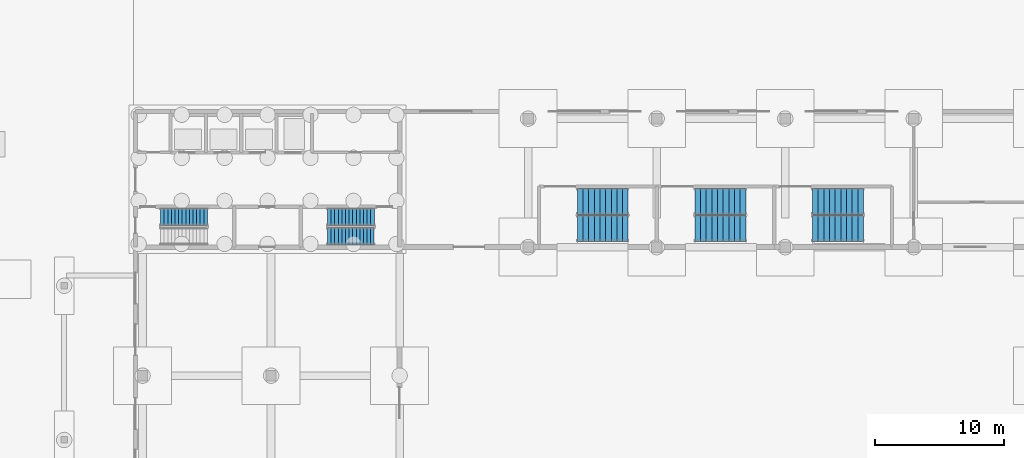
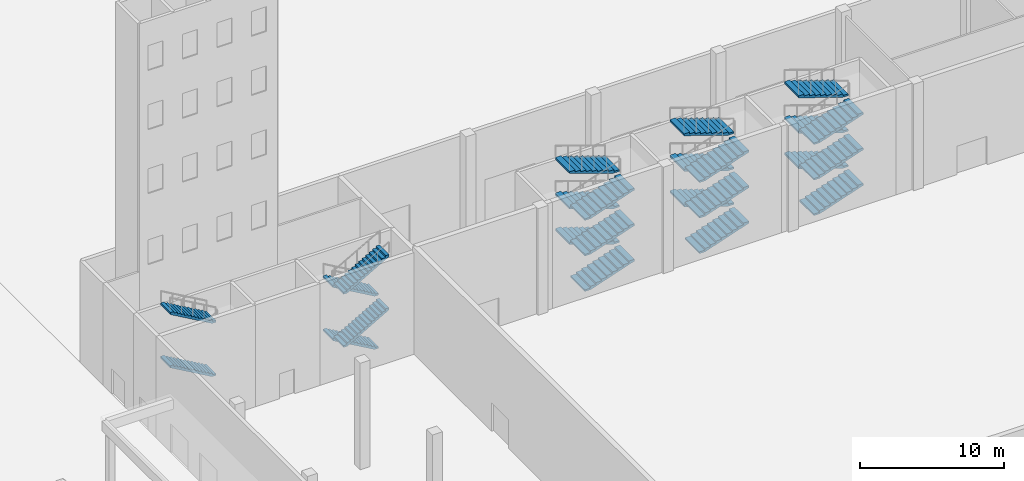
# One storey, part 43 of 63: 24 stair flights, 5 elements without a shape of their own.
"""IFC4 building model written with IfcOpenShell, lengths in metres."""

import ifcopenshell
import ifcopenshell.guid

model = None  # the IFC model being written
_history = None  # IfcOwnerHistory: only IFC2X3 demands one
_inside = {}  # id of a spatial element -> (the spatial element, [elements in it])
_under = {}  # id of a project, library or spatial element -> (it, [spatial elements below it])
_declared = {}  # id of a project -> (the project, [libraries it declares])
_typed = {}  # id of a type object -> (the type object, [elements of that type])
_made_of = {}  # id of a material, layer set ... -> (it, [elements and type objects made of it])


def new_model(schema):
    """Start an empty IFC model of exactly this schema.

    Asked for "IFC4X3", IfcOpenShell would pick the latest addendum, in which some entities
    have other attributes; the version numbers below select the first issue.
    IFC2X3 requires an IfcOwnerHistory on every rooted entity: one is made here for all.
    """
    global model, _history
    if schema == "IFC4X3":
        model = ifcopenshell.file(schema_version=(4, 3, 0, 0))
    else:
        model = ifcopenshell.file(schema=schema)
    _inside.clear()
    _under.clear()
    _declared.clear()
    _typed.clear()
    _made_of.clear()
    _history = None
    if model.schema == "IFC2X3":
        org = make("IfcOrganization", Name="unknown")
        user = make(
            "IfcPersonAndOrganization",
            ThePerson=make("IfcPerson", FamilyName="unknown"),
            TheOrganization=org,
        )
        app = make(
            "IfcApplication",
            ApplicationDeveloper=org,
            Version="unknown",
            ApplicationFullName="unknown",
            ApplicationIdentifier="unknown",
        )
        _history = make(
            "IfcOwnerHistory",
            OwningUser=user,
            OwningApplication=app,
            ChangeAction="ADDED",
            CreationDate=0,
        )
    return model


def make(cls, **values):
    """One entity of the class cls with the attributes given. An attribute that is None is left unset."""
    return model.create_entity(
        cls, **{name: value for name, value in values.items() if value is not None}
    )


def rooted(cls, **values):
    """An entity with a GlobalId (a new one), such as an element, a storey or a relation."""
    return make(cls, GlobalId=ifcopenshell.guid.new(), OwnerHistory=_history, **values)


def si_unit(unit_type, name, prefix=None):
    """IfcSIUnit, for example si_unit("LENGTHUNIT", "METRE", prefix="MILLI")."""
    return make("IfcSIUnit", UnitType=unit_type, Prefix=prefix, Name=name)


def assignment(units):
    """IfcUnitAssignment: the units of a project."""
    return None if units is None else make("IfcUnitAssignment", Units=units)


def point(xyz):
    """IfcCartesianPoint."""
    return None if xyz is None else make("IfcCartesianPoint", Coordinates=xyz)


def direction(xyz):
    """IfcDirection."""
    return None if xyz is None else make("IfcDirection", DirectionRatios=xyz)


def frame(location, z_axis=None, x_axis=None):
    """IfcAxis2Placement3D, a coordinate frame: its origin and axes. An axis left out is left unset."""
    return make(
        "IfcAxis2Placement3D",
        Location=point(location),
        Axis=direction(z_axis),
        RefDirection=direction(x_axis),
    )


def origin():
    """The frame at (0, 0, 0) with its axes left unset."""
    return frame((0.0, 0.0, 0.0))


def place(relative_to, where):
    """IfcLocalPlacement: puts the frame where relative to a parent placement (None: the world)."""
    return make(
        "IfcLocalPlacement", PlacementRelTo=relative_to, RelativePlacement=where
    )


def context(
    kind, dimensions, precision=None, world=None, true_north=None, identifier=None
):
    """IfcGeometricRepresentationContext, for example the 3D "Model" context."""
    return make(
        "IfcGeometricRepresentationContext",
        ContextIdentifier=identifier,
        ContextType=kind,
        CoordinateSpaceDimension=dimensions,
        Precision=precision,
        WorldCoordinateSystem=world,
        TrueNorth=true_north,
    )


def subcontext(parent, identifier, kind, view, scale=None):
    """IfcGeometricRepresentationSubContext, for example "Body" below "Model"."""
    return make(
        "IfcGeometricRepresentationSubContext",
        ContextIdentifier=identifier,
        ContextType=kind,
        ParentContext=parent,
        TargetScale=scale,
        TargetView=view,
    )


def project(units=None, contexts=None):
    """IfcProject with its units and contexts."""
    return rooted(
        "IfcProject",
        Name="project",
        RepresentationContexts=contexts,
        UnitsInContext=assignment(units),
    )


def spatial(cls, under=None, at=None, **own):
    """A site, building, storey or space (cls), placed at a placement, below another one or the project."""
    s = rooted(cls, ObjectPlacement=at, **own)
    if under is not None:
        _under.setdefault(under.id(), (under, []))[1].append(s)
    return s


def polyline(points):
    """IfcPolyline through the points."""
    return make("IfcPolyline", Points=[point(p) for p in points])


def outline(outer, holes=None, kind="AREA"):
    """IfcArbitraryClosedProfileDef: a profile drawn as a closed curve; with holes, ...WithVoids."""
    if holes is None:
        return make("IfcArbitraryClosedProfileDef", ProfileType=kind, OuterCurve=outer)
    return make(
        "IfcArbitraryProfileDefWithVoids",
        ProfileType=kind,
        OuterCurve=outer,
        InnerCurves=holes,
    )


def extrude(swept, where, along, depth):
    """IfcExtrudedAreaSolid: the profile swept, set in the frame where, extruded along a direction by depth."""
    return make(
        "IfcExtrudedAreaSolid",
        SweptArea=swept,
        Position=where,
        ExtrudedDirection=direction(along),
        Depth=depth,
    )


def shape(context_of_items, identifier, shape_type, items):
    """IfcShapeRepresentation: the items that make up one representation, for example the "Body"."""
    return make(
        "IfcShapeRepresentation",
        ContextOfItems=context_of_items,
        RepresentationIdentifier=identifier,
        RepresentationType=shape_type,
        Items=items,
    )


def material(Name=None, Category=None):
    """IfcMaterial."""
    return make("IfcMaterial", Name=Name, Category=Category)


def made_of(thing, what):
    """Note that an element or type object is made of a material, layer set ...; save() writes the relation."""
    if what is not None:
        _made_of.setdefault(what.id(), (what, []))[1].append(thing)
    return thing


def type_object(cls, material=None, **own):
    """A type object (cls), such as IfcWallType, which elements share."""
    return made_of(rooted(cls, **own), material)


def element(
    cls,
    number,
    at=None,
    inside=None,
    cuts=None,
    type_object=None,
    material=None,
    context=None,
    identifier="Body",
    shape_type=None,
    held_by="IfcProductDefinitionShape",
    body=None,
    shapes=None,
    **own,
):
    """One element of the class cls, such as IfcWall. Its Tag is "e" and its number.

    at: its placement. inside: the storey or other place that contains it. cuts: it is an
    opening in that element (IfcRelVoidsElement). A single representation is given by context,
    identifier, shape_type and body (its items); several are given by shapes. held_by: the class
    of the entity that holds the representations. save() writes the other relations.
    """
    e = rooted(cls, Tag="e%d" % number, ObjectPlacement=at, **own)
    if body is not None:
        shapes = [shape(context, identifier, shape_type, body)]
    if shapes is not None:
        e.Representation = make(held_by, Representations=shapes)
    if inside is not None:
        _inside.setdefault(inside.id(), (inside, []))[1].append(e)
    if cuts is not None:
        rooted(
            "IfcRelVoidsElement", RelatingBuildingElement=cuts, RelatedOpeningElement=e
        )
    if type_object is not None:
        _typed.setdefault(type_object.id(), (type_object, []))[1].append(e)
    return made_of(e, material)


def aggregate(whole, parts):
    """IfcRelAggregates: a whole, such as a stair, and the parts it consists of."""
    return rooted("IfcRelAggregates", RelatingObject=whole, RelatedObjects=parts)


def save(model, path):
    """Write the relations noted so far, then the file.

    IfcRelAggregates (storeys below a building ...), IfcRelContainedInSpatialStructure (elements
    in a storey), IfcRelDefinesByType, IfcRelAssociatesMaterial and IfcRelDeclares: one each for
    every whole, place, type object, material and project.
    """
    for whole, parts in _under.values():
        aggregate(whole, parts)
    for where, things in _inside.values():
        rooted(
            "IfcRelContainedInSpatialStructure",
            RelatedElements=things,
            RelatingStructure=where,
        )
    for kind, things in _typed.values():
        rooted("IfcRelDefinesByType", RelatedObjects=things, RelatingType=kind)
    for what, things in _made_of.values():
        rooted("IfcRelAssociatesMaterial", RelatedObjects=things, RelatingMaterial=what)
    for by, libraries in _declared.values():
        rooted("IfcRelDeclares", RelatingContext=by, RelatedDefinitions=libraries)
    model.write(path)


model = new_model("IFC4")

# Units and contexts
model_context = context("Model", 3, precision=1e-05, world=origin(), true_north=direction((0.0, 1.0)))
body_context = subcontext(model_context, "Body", "Model", "MODEL_VIEW")
ifc_project = project(units=[si_unit("LENGTHUNIT", "METRE"), si_unit("AREAUNIT", "SQUARE_METRE"), si_unit("VOLUMEUNIT", "CUBIC_METRE"), si_unit("PLANEANGLEUNIT", "RADIAN"), si_unit("MASSUNIT", "GRAM", prefix="KILO")], contexts=[model_context])

# Site, building, storey
site_placement = place(None, origin())
site = spatial("IfcSite", under=ifc_project, at=site_placement, CompositionType="ELEMENT")
building_placement = place(site_placement, origin())
building = spatial("IfcBuilding", under=site, at=building_placement, Name="Jabali Bay Hotel Tower and Convention Centre", CompositionType="ELEMENT")
storey_placement = place(building_placement, origin())
storey = spatial("IfcBuildingStorey", under=building, at=storey_placement, Name="L00", CompositionType="ELEMENT", Elevation=0.0)

# Stair, stair flights
ifc_material = material(Name="Concrete C40", Category="concrete")
stair_type = type_object("IfcStairType", Name="CC Dogleg Stair 1350", PredefinedType="HALF_TURN_STAIR", material=ifc_material)
stair_1_placement = place(storey_placement, origin())
stair_1 = element("IfcStair", 1, at=stair_1_placement, inside=storey, type_object=stair_type, Name="L00 West stair A", PredefinedType="HALF_TURN_STAIR")
stair_flight_type = type_object("IfcStairFlightType", Name="CC Stair Flight 1350", PredefinedType="STRAIGHT", material=ifc_material)
stair_flight_1_placement = place(storey_placement, frame((155.739990234375, 102.35009765625, 2.25), z_axis=(0.0, 0.0, 1.0), x_axis=(-1.0, 0.0, 0.0)))
stair_flight_1 = element("IfcStairFlight", 2, at=stair_flight_1_placement, type_object=stair_flight_type, Name="CC-STWA flight 2", NumberOfRisers=14, NumberOfTreads=13, PredefinedType="STRAIGHT", RiserHeight=0.160714286, TreadLength=0.28, context=body_context, shape_type="SweptSolid", body=[
    extrude(outline(polyline([(0.0, 0.0), (0.0, 0.16064453125), (0.280029296875, 0.16064453125), (0.280029296875, 0.321533203125), (0.56005859375, 0.321533203125), (0.56005859375, 0.482177734375), (0.840087890625, 0.482177734375), (0.840087890625, 0.642822265625), (1.1201171875, 0.642822265625), (1.1201171875, 0.803466796875), (1.39990234375, 0.803466796875), (1.39990234375, 0.96435546875), (1.679931640625, 0.96435546875), (1.679931640625, 1.125), (1.9599609375, 1.125), (1.9599609375, 1.28564453125), (2.239990234375, 1.28564453125), (2.239990234375, 1.446533203125), (2.52001953125, 1.446533203125), (2.52001953125, 1.607177734375), (2.800048828125, 1.607177734375), (2.800048828125, 1.767822265625), (3.080078125, 1.767822265625), (3.080078125, 1.928466796875), (3.360107421875, 1.928466796875), (3.360107421875, 2.08935546875), (3.639892578125, 2.08935546875), (3.639892578125, 2.25), (3.639892578125, 1.91650390625), (0.301025390625, 0.0), (0.0, 0.0)])), frame((0.0, 0.675048828125, 0.0), z_axis=(0.0, -1.0, 0.0), x_axis=(1.0, 0.0, 0.0)), (0.0, 0.0, 1.0), 1.35009765625),
])
stair_flight_2_placement = place(storey_placement, frame((155.739990234375, 102.35009765625, 6.75), z_axis=(0.0, 0.0, 1.0), x_axis=(-1.0, 0.0, 0.0)))
stair_flight_2 = element("IfcStairFlight", 3, at=stair_flight_2_placement, type_object=stair_flight_type, Name="CC-STWA flight 4", NumberOfRisers=14, NumberOfTreads=13, PredefinedType="STRAIGHT", RiserHeight=0.160714286, TreadLength=0.28, context=body_context, shape_type="SweptSolid", body=[
    extrude(outline(polyline([(0.0, 0.0), (0.0, 0.16064453125), (0.280029296875, 0.16064453125), (0.280029296875, 0.321533203125), (0.56005859375, 0.321533203125), (0.56005859375, 0.482177734375), (0.840087890625, 0.482177734375), (0.840087890625, 0.642822265625), (1.1201171875, 0.642822265625), (1.1201171875, 0.803466796875), (1.39990234375, 0.803466796875), (1.39990234375, 0.96435546875), (1.679931640625, 0.96435546875), (1.679931640625, 1.125), (1.9599609375, 1.125), (1.9599609375, 1.28564453125), (2.239990234375, 1.28564453125), (2.239990234375, 1.446533203125), (2.52001953125, 1.446533203125), (2.52001953125, 1.607177734375), (2.800048828125, 1.607177734375), (2.800048828125, 1.767822265625), (3.080078125, 1.767822265625), (3.080078125, 1.928466796875), (3.360107421875, 1.928466796875), (3.360107421875, 2.08935546875), (3.639892578125, 2.08935546875), (3.639892578125, 2.25), (3.639892578125, 1.91650390625), (0.301025390625, 0.0), (0.0, 0.0)])), frame((0.0, 0.675048828125, 0.0), z_axis=(0.0, -1.0, 0.0), x_axis=(1.0, 0.0, 0.0)), (0.0, 0.0, 1.0), 1.35009765625),
])
aggregate(stair_1, [stair_flight_1, stair_flight_2])

stair_2_placement = place(storey_placement, origin())
stair_2 = element("IfcStair", 4, at=stair_2_placement, inside=storey, type_object=stair_type, Name="L00 West stair B", PredefinedType="HALF_TURN_STAIR")
stair_flight_3_placement = place(storey_placement, frame((168.72509765625, 102.35009765625, 0.0), z_axis=(0.0, 0.0, 1.0), x_axis=(-1.0, 0.0, 0.0)))
stair_flight_3 = element("IfcStairFlight", 5, at=stair_flight_3_placement, type_object=stair_flight_type, Name="CC-STWB flight 1", NumberOfRisers=14, NumberOfTreads=13, PredefinedType="STRAIGHT", RiserHeight=0.160714286, TreadLength=0.28, context=body_context, shape_type="SweptSolid", body=[
    extrude(outline(polyline([(0.0, 0.0), (0.0, 0.16064453125), (0.280029296875, 0.16064453125), (0.280029296875, 0.321533203125), (0.56005859375, 0.321533203125), (0.56005859375, 0.482177734375), (0.840087890625, 0.482177734375), (0.840087890625, 0.642822265625), (1.1201171875, 0.642822265625), (1.1201171875, 0.803466796875), (1.39990234375, 0.803466796875), (1.39990234375, 0.96435546875), (1.679931640625, 0.96435546875), (1.679931640625, 1.125), (1.9599609375, 1.125), (1.9599609375, 1.28564453125), (2.239990234375, 1.28564453125), (2.239990234375, 1.446533203125), (2.52001953125, 1.446533203125), (2.52001953125, 1.607177734375), (2.800048828125, 1.607177734375), (2.800048828125, 1.767822265625), (3.080078125, 1.767822265625), (3.080078125, 1.928466796875), (3.360107421875, 1.928466796875), (3.360107421875, 2.08935546875), (3.639892578125, 2.08935546875), (3.639892578125, 2.25), (3.639892578125, 1.91650390625), (0.301025390625, 0.0), (0.0, 0.0)])), frame((0.0, 0.675048828125, 0.0), z_axis=(0.0, -1.0, 0.0), x_axis=(1.0, 0.0, 0.0)), (0.0, 0.0, 1.0), 1.35009765625),
])
stair_flight_4_placement = place(storey_placement, frame((165.0849609375, 100.85009765625, 2.25), z_axis=(0.0, 0.0, 1.0), x_axis=(1.0, 0.0, 0.0)))
stair_flight_4 = element("IfcStairFlight", 6, at=stair_flight_4_placement, type_object=stair_flight_type, Name="CC-STWB flight 2", NumberOfRisers=14, NumberOfTreads=13, PredefinedType="STRAIGHT", RiserHeight=0.160714286, TreadLength=0.28, context=body_context, shape_type="SweptSolid", body=[
    extrude(outline(polyline([(0.0, 0.0), (0.0, 0.16064453125), (0.280029296875, 0.16064453125), (0.280029296875, 0.321533203125), (0.56005859375, 0.321533203125), (0.56005859375, 0.482177734375), (0.840087890625, 0.482177734375), (0.840087890625, 0.642822265625), (1.1201171875, 0.642822265625), (1.1201171875, 0.803466796875), (1.39990234375, 0.803466796875), (1.39990234375, 0.96435546875), (1.679931640625, 0.96435546875), (1.679931640625, 1.125), (1.9599609375, 1.125), (1.9599609375, 1.28564453125), (2.239990234375, 1.28564453125), (2.239990234375, 1.446533203125), (2.52001953125, 1.446533203125), (2.52001953125, 1.607177734375), (2.800048828125, 1.607177734375), (2.800048828125, 1.767822265625), (3.080078125, 1.767822265625), (3.080078125, 1.928466796875), (3.360107421875, 1.928466796875), (3.360107421875, 2.08935546875), (3.639892578125, 2.08935546875), (3.639892578125, 2.25), (3.639892578125, 1.91650390625), (0.301025390625, 0.0), (0.0, 0.0)])), frame((0.0, 0.675048828125, 0.0), z_axis=(0.0, -1.0, 0.0), x_axis=(1.0, 0.0, 0.0)), (0.0, 0.0, 1.0), 1.35009765625),
])
stair_flight_5_placement = place(storey_placement, frame((168.72509765625, 102.35009765625, 4.5), z_axis=(0.0, 0.0, 1.0), x_axis=(-1.0, 0.0, 0.0)))
stair_flight_5 = element("IfcStairFlight", 7, at=stair_flight_5_placement, type_object=stair_flight_type, Name="CC-STWB flight 3", NumberOfRisers=14, NumberOfTreads=13, PredefinedType="STRAIGHT", RiserHeight=0.160714286, TreadLength=0.28, context=body_context, shape_type="SweptSolid", body=[
    extrude(outline(polyline([(0.0, 0.0), (0.0, 0.16064453125), (0.280029296875, 0.16064453125), (0.280029296875, 0.321533203125), (0.56005859375, 0.321533203125), (0.56005859375, 0.482177734375), (0.840087890625, 0.482177734375), (0.840087890625, 0.642822265625), (1.1201171875, 0.642822265625), (1.1201171875, 0.803466796875), (1.39990234375, 0.803466796875), (1.39990234375, 0.96435546875), (1.679931640625, 0.96435546875), (1.679931640625, 1.125), (1.9599609375, 1.125), (1.9599609375, 1.28564453125), (2.239990234375, 1.28564453125), (2.239990234375, 1.446533203125), (2.52001953125, 1.446533203125), (2.52001953125, 1.607177734375), (2.800048828125, 1.607177734375), (2.800048828125, 1.767822265625), (3.080078125, 1.767822265625), (3.080078125, 1.928466796875), (3.360107421875, 1.928466796875), (3.360107421875, 2.08935546875), (3.639892578125, 2.08935546875), (3.639892578125, 2.25), (3.639892578125, 1.91650390625), (0.301025390625, 0.0), (0.0, 0.0)])), frame((0.0, 0.675048828125, 0.0), z_axis=(0.0, -1.0, 0.0), x_axis=(1.0, 0.0, 0.0)), (0.0, 0.0, 1.0), 1.35009765625),
])
stair_flight_6_placement = place(storey_placement, frame((165.0849609375, 100.85009765625, 6.75), z_axis=(0.0, 0.0, 1.0), x_axis=(1.0, 0.0, 0.0)))
stair_flight_6 = element("IfcStairFlight", 8, at=stair_flight_6_placement, type_object=stair_flight_type, Name="CC-STWB flight 4", NumberOfRisers=14, NumberOfTreads=13, PredefinedType="STRAIGHT", RiserHeight=0.160714286, TreadLength=0.28, context=body_context, shape_type="SweptSolid", body=[
    extrude(outline(polyline([(0.0, 0.0), (0.0, 0.16064453125), (0.280029296875, 0.16064453125), (0.280029296875, 0.321533203125), (0.56005859375, 0.321533203125), (0.56005859375, 0.482177734375), (0.840087890625, 0.482177734375), (0.840087890625, 0.642822265625), (1.1201171875, 0.642822265625), (1.1201171875, 0.803466796875), (1.39990234375, 0.803466796875), (1.39990234375, 0.96435546875), (1.679931640625, 0.96435546875), (1.679931640625, 1.125), (1.9599609375, 1.125), (1.9599609375, 1.28564453125), (2.239990234375, 1.28564453125), (2.239990234375, 1.446533203125), (2.52001953125, 1.446533203125), (2.52001953125, 1.607177734375), (2.800048828125, 1.607177734375), (2.800048828125, 1.767822265625), (3.080078125, 1.767822265625), (3.080078125, 1.928466796875), (3.360107421875, 1.928466796875), (3.360107421875, 2.08935546875), (3.639892578125, 2.08935546875), (3.639892578125, 2.25), (3.639892578125, 1.91650390625), (0.301025390625, 0.0), (0.0, 0.0)])), frame((0.0, 0.675048828125, 0.0), z_axis=(0.0, -1.0, 0.0), x_axis=(1.0, 0.0, 0.0)), (0.0, 0.0, 1.0), 1.35009765625),
])
aggregate(stair_2, [stair_flight_3, stair_flight_4, stair_flight_5, stair_flight_6])

stair_3_placement = place(storey_placement, origin())
stair_3 = element("IfcStair", 9, at=stair_3_placement, inside=storey, type_object=stair_type, Name="L00 North Exit Stair 1", PredefinedType="HALF_TURN_STAIR")
stair_flight_7_placement = place(storey_placement, frame((184.52490234375, 101.449951171875, 0.0), z_axis=(0.0, 0.0, 1.0), x_axis=(1.0, 0.0, 0.0)))
stair_flight_7 = element("IfcStairFlight", 10, at=stair_flight_7_placement, type_object=stair_flight_type, Name="CC-STN1 flight 1", NumberOfRisers=10, NumberOfTreads=9, PredefinedType="STRAIGHT", RiserHeight=0.15, TreadLength=0.44, context=body_context, shape_type="SweptSolid", body=[
    extrude(outline(polyline([(0.0, 0.0), (0.0, 0.14990234375), (0.43994140625, 0.14990234375), (0.43994140625, 0.300048828125), (0.8798828125, 0.300048828125), (0.8798828125, 0.449951171875), (1.320068359375, 0.449951171875), (1.320068359375, 0.60009765625), (1.760009765625, 0.60009765625), (1.760009765625, 0.75), (2.199951171875, 0.75), (2.199951171875, 0.89990234375), (2.639892578125, 0.89990234375), (2.639892578125, 1.050048828125), (3.080078125, 1.050048828125), (3.080078125, 1.199951171875), (3.52001953125, 1.199951171875), (3.52001953125, 1.35009765625), (3.9599609375, 1.35009765625), (3.9599609375, 1.5), (3.9599609375, 1.191650390625), (0.464599609375, 0.0), (0.0, 0.0)])), frame((0.0, 1.0, 0.0), z_axis=(0.0, -1.0, 0.0), x_axis=(1.0, 0.0, 0.0)), (0.0, 0.0, 1.0), 2.0),
])
stair_flight_8_placement = place(storey_placement, frame((188.485107421875, 103.550048828125, 1.5), z_axis=(0.0, 0.0, 1.0), x_axis=(-1.0, 0.0, 0.0)))
stair_flight_8 = element("IfcStairFlight", 11, at=stair_flight_8_placement, type_object=stair_flight_type, Name="CC-STN1 flight 2", NumberOfRisers=10, NumberOfTreads=9, PredefinedType="STRAIGHT", RiserHeight=0.15, TreadLength=0.44, context=body_context, shape_type="SweptSolid", body=[
    extrude(outline(polyline([(0.0, 0.0), (0.0, 0.14990234375), (0.43994140625, 0.14990234375), (0.43994140625, 0.300048828125), (0.8798828125, 0.300048828125), (0.8798828125, 0.449951171875), (1.320068359375, 0.449951171875), (1.320068359375, 0.60009765625), (1.760009765625, 0.60009765625), (1.760009765625, 0.75), (2.199951171875, 0.75), (2.199951171875, 0.89990234375), (2.639892578125, 0.89990234375), (2.639892578125, 1.050048828125), (3.080078125, 1.050048828125), (3.080078125, 1.199951171875), (3.52001953125, 1.199951171875), (3.52001953125, 1.35009765625), (3.9599609375, 1.35009765625), (3.9599609375, 1.5), (3.9599609375, 1.191650390625), (0.464599609375, 0.0), (0.0, 0.0)])), frame((0.0, 1.0, 0.0), z_axis=(0.0, -1.0, 0.0), x_axis=(1.0, 0.0, 0.0)), (0.0, 0.0, 1.0), 2.0),
])
stair_flight_9_placement = place(storey_placement, frame((184.52490234375, 101.449951171875, 3.0), z_axis=(0.0, 0.0, 1.0), x_axis=(1.0, 0.0, 0.0)))
stair_flight_9 = element("IfcStairFlight", 12, at=stair_flight_9_placement, type_object=stair_flight_type, Name="CC-STN1 flight 3", NumberOfRisers=10, NumberOfTreads=9, PredefinedType="STRAIGHT", RiserHeight=0.15, TreadLength=0.44, context=body_context, shape_type="SweptSolid", body=[
    extrude(outline(polyline([(0.0, 0.0), (0.0, 0.14990234375), (0.43994140625, 0.14990234375), (0.43994140625, 0.300048828125), (0.8798828125, 0.300048828125), (0.8798828125, 0.449951171875), (1.320068359375, 0.449951171875), (1.320068359375, 0.60009765625), (1.760009765625, 0.60009765625), (1.760009765625, 0.75), (2.199951171875, 0.75), (2.199951171875, 0.89990234375), (2.639892578125, 0.89990234375), (2.639892578125, 1.050048828125), (3.080078125, 1.050048828125), (3.080078125, 1.199951171875), (3.52001953125, 1.199951171875), (3.52001953125, 1.35009765625), (3.9599609375, 1.35009765625), (3.9599609375, 1.5), (3.9599609375, 1.191650390625), (0.464599609375, 0.0), (0.0, 0.0)])), frame((0.0, 1.0, 0.0), z_axis=(0.0, -1.0, 0.0), x_axis=(1.0, 0.0, 0.0)), (0.0, 0.0, 1.0), 2.0),
])
stair_flight_10_placement = place(storey_placement, frame((188.485107421875, 103.550048828125, 4.5), z_axis=(0.0, 0.0, 1.0), x_axis=(-1.0, 0.0, 0.0)))
stair_flight_10 = element("IfcStairFlight", 13, at=stair_flight_10_placement, type_object=stair_flight_type, Name="CC-STN1 flight 4", NumberOfRisers=10, NumberOfTreads=9, PredefinedType="STRAIGHT", RiserHeight=0.15, TreadLength=0.44, context=body_context, shape_type="SweptSolid", body=[
    extrude(outline(polyline([(0.0, 0.0), (0.0, 0.14990234375), (0.43994140625, 0.14990234375), (0.43994140625, 0.300048828125), (0.8798828125, 0.300048828125), (0.8798828125, 0.449951171875), (1.320068359375, 0.449951171875), (1.320068359375, 0.60009765625), (1.760009765625, 0.60009765625), (1.760009765625, 0.75), (2.199951171875, 0.75), (2.199951171875, 0.89990234375), (2.639892578125, 0.89990234375), (2.639892578125, 1.050048828125), (3.080078125, 1.050048828125), (3.080078125, 1.199951171875), (3.52001953125, 1.199951171875), (3.52001953125, 1.35009765625), (3.9599609375, 1.35009765625), (3.9599609375, 1.5), (3.9599609375, 1.191650390625), (0.464599609375, 0.0), (0.0, 0.0)])), frame((0.0, 1.0, 0.0), z_axis=(0.0, -1.0, 0.0), x_axis=(1.0, 0.0, 0.0)), (0.0, 0.0, 1.0), 2.0),
])
stair_flight_11_placement = place(storey_placement, frame((184.52490234375, 101.449951171875, 6.0), z_axis=(0.0, 0.0, 1.0), x_axis=(1.0, 0.0, 0.0)))
stair_flight_11 = element("IfcStairFlight", 14, at=stair_flight_11_placement, type_object=stair_flight_type, Name="CC-STN1 flight 5", NumberOfRisers=10, NumberOfTreads=9, PredefinedType="STRAIGHT", RiserHeight=0.15, TreadLength=0.44, context=body_context, shape_type="SweptSolid", body=[
    extrude(outline(polyline([(0.0, 0.0), (0.0, 0.14990234375), (0.43994140625, 0.14990234375), (0.43994140625, 0.300048828125), (0.8798828125, 0.300048828125), (0.8798828125, 0.449951171875), (1.320068359375, 0.449951171875), (1.320068359375, 0.60009765625), (1.760009765625, 0.60009765625), (1.760009765625, 0.75), (2.199951171875, 0.75), (2.199951171875, 0.89990234375), (2.639892578125, 0.89990234375), (2.639892578125, 1.050048828125), (3.080078125, 1.050048828125), (3.080078125, 1.199951171875), (3.52001953125, 1.199951171875), (3.52001953125, 1.35009765625), (3.9599609375, 1.35009765625), (3.9599609375, 1.5), (3.9599609375, 1.191650390625), (0.464599609375, 0.0), (0.0, 0.0)])), frame((0.0, 1.0, 0.0), z_axis=(0.0, -1.0, 0.0), x_axis=(1.0, 0.0, 0.0)), (0.0, 0.0, 1.0), 2.0),
])
stair_flight_12_placement = place(storey_placement, frame((188.485107421875, 103.550048828125, 7.5), z_axis=(0.0, 0.0, 1.0), x_axis=(-1.0, 0.0, 0.0)))
stair_flight_12 = element("IfcStairFlight", 15, at=stair_flight_12_placement, type_object=stair_flight_type, Name="CC-STN1 flight 6", NumberOfRisers=10, NumberOfTreads=9, PredefinedType="STRAIGHT", RiserHeight=0.15, TreadLength=0.44, context=body_context, shape_type="SweptSolid", body=[
    extrude(outline(polyline([(0.0, 0.0), (0.0, 0.14990234375), (0.43994140625, 0.14990234375), (0.43994140625, 0.300048828125), (0.8798828125, 0.300048828125), (0.8798828125, 0.449951171875), (1.320068359375, 0.449951171875), (1.320068359375, 0.60009765625), (1.760009765625, 0.60009765625), (1.760009765625, 0.75), (2.199951171875, 0.75), (2.199951171875, 0.89990234375), (2.639892578125, 0.89990234375), (2.639892578125, 1.050048828125), (3.080078125, 1.050048828125), (3.080078125, 1.199951171875), (3.52001953125, 1.199951171875), (3.52001953125, 1.35009765625), (3.9599609375, 1.35009765625), (3.9599609375, 1.5), (3.9599609375, 1.191650390625), (0.464599609375, 0.0), (0.0, 0.0)])), frame((0.0, 1.0, 0.0), z_axis=(0.0, -1.0, 0.0), x_axis=(1.0, 0.0, 0.0)), (0.0, 0.0, 1.0), 2.0),
])
aggregate(stair_3, [stair_flight_7, stair_flight_8, stair_flight_9, stair_flight_10, stair_flight_11, stair_flight_12])

stair_4_placement = place(storey_placement, origin())
stair_4 = element("IfcStair", 16, at=stair_4_placement, inside=storey, type_object=stair_type, Name="L00 North Exit Stair 2", PredefinedType="HALF_TURN_STAIR")
stair_flight_13_placement = place(storey_placement, frame((193.675048828125, 101.449951171875, 0.0), z_axis=(0.0, 0.0, 1.0), x_axis=(1.0, 0.0, 0.0)))
stair_flight_13 = element("IfcStairFlight", 17, at=stair_flight_13_placement, type_object=stair_flight_type, Name="CC-STN2 flight 1", NumberOfRisers=10, NumberOfTreads=9, PredefinedType="STRAIGHT", RiserHeight=0.15, TreadLength=0.44, context=body_context, shape_type="SweptSolid", body=[
    extrude(outline(polyline([(0.0, 0.0), (0.0, 0.14990234375), (0.43994140625, 0.14990234375), (0.43994140625, 0.300048828125), (0.8798828125, 0.300048828125), (0.8798828125, 0.449951171875), (1.320068359375, 0.449951171875), (1.320068359375, 0.60009765625), (1.760009765625, 0.60009765625), (1.760009765625, 0.75), (2.199951171875, 0.75), (2.199951171875, 0.89990234375), (2.639892578125, 0.89990234375), (2.639892578125, 1.050048828125), (3.080078125, 1.050048828125), (3.080078125, 1.199951171875), (3.52001953125, 1.199951171875), (3.52001953125, 1.35009765625), (3.9599609375, 1.35009765625), (3.9599609375, 1.5), (3.9599609375, 1.191650390625), (0.464599609375, 0.0), (0.0, 0.0)])), frame((0.0, 1.0, 0.0), z_axis=(0.0, -1.0, 0.0), x_axis=(1.0, 0.0, 0.0)), (0.0, 0.0, 1.0), 2.0),
])
stair_flight_14_placement = place(storey_placement, frame((197.635009765625, 103.550048828125, 1.5), z_axis=(0.0, 0.0, 1.0), x_axis=(-1.0, 0.0, 0.0)))
stair_flight_14 = element("IfcStairFlight", 18, at=stair_flight_14_placement, type_object=stair_flight_type, Name="CC-STN2 flight 2", NumberOfRisers=10, NumberOfTreads=9, PredefinedType="STRAIGHT", RiserHeight=0.15, TreadLength=0.44, context=body_context, shape_type="SweptSolid", body=[
    extrude(outline(polyline([(0.0, 0.0), (0.0, 0.14990234375), (0.43994140625, 0.14990234375), (0.43994140625, 0.300048828125), (0.8798828125, 0.300048828125), (0.8798828125, 0.449951171875), (1.320068359375, 0.449951171875), (1.320068359375, 0.60009765625), (1.760009765625, 0.60009765625), (1.760009765625, 0.75), (2.199951171875, 0.75), (2.199951171875, 0.89990234375), (2.639892578125, 0.89990234375), (2.639892578125, 1.050048828125), (3.080078125, 1.050048828125), (3.080078125, 1.199951171875), (3.52001953125, 1.199951171875), (3.52001953125, 1.35009765625), (3.9599609375, 1.35009765625), (3.9599609375, 1.5), (3.9599609375, 1.191650390625), (0.464599609375, 0.0), (0.0, 0.0)])), frame((0.0, 1.0, 0.0), z_axis=(0.0, -1.0, 0.0), x_axis=(1.0, 0.0, 0.0)), (0.0, 0.0, 1.0), 2.0),
])
stair_flight_15_placement = place(storey_placement, frame((193.675048828125, 101.449951171875, 3.0), z_axis=(0.0, 0.0, 1.0), x_axis=(1.0, 0.0, 0.0)))
stair_flight_15 = element("IfcStairFlight", 19, at=stair_flight_15_placement, type_object=stair_flight_type, Name="CC-STN2 flight 3", NumberOfRisers=10, NumberOfTreads=9, PredefinedType="STRAIGHT", RiserHeight=0.15, TreadLength=0.44, context=body_context, shape_type="SweptSolid", body=[
    extrude(outline(polyline([(0.0, 0.0), (0.0, 0.14990234375), (0.43994140625, 0.14990234375), (0.43994140625, 0.300048828125), (0.8798828125, 0.300048828125), (0.8798828125, 0.449951171875), (1.320068359375, 0.449951171875), (1.320068359375, 0.60009765625), (1.760009765625, 0.60009765625), (1.760009765625, 0.75), (2.199951171875, 0.75), (2.199951171875, 0.89990234375), (2.639892578125, 0.89990234375), (2.639892578125, 1.050048828125), (3.080078125, 1.050048828125), (3.080078125, 1.199951171875), (3.52001953125, 1.199951171875), (3.52001953125, 1.35009765625), (3.9599609375, 1.35009765625), (3.9599609375, 1.5), (3.9599609375, 1.191650390625), (0.464599609375, 0.0), (0.0, 0.0)])), frame((0.0, 1.0, 0.0), z_axis=(0.0, -1.0, 0.0), x_axis=(1.0, 0.0, 0.0)), (0.0, 0.0, 1.0), 2.0),
])
stair_flight_16_placement = place(storey_placement, frame((197.635009765625, 103.550048828125, 4.5), z_axis=(0.0, 0.0, 1.0), x_axis=(-1.0, 0.0, 0.0)))
stair_flight_16 = element("IfcStairFlight", 20, at=stair_flight_16_placement, type_object=stair_flight_type, Name="CC-STN2 flight 4", NumberOfRisers=10, NumberOfTreads=9, PredefinedType="STRAIGHT", RiserHeight=0.15, TreadLength=0.44, context=body_context, shape_type="SweptSolid", body=[
    extrude(outline(polyline([(0.0, 0.0), (0.0, 0.14990234375), (0.43994140625, 0.14990234375), (0.43994140625, 0.300048828125), (0.8798828125, 0.300048828125), (0.8798828125, 0.449951171875), (1.320068359375, 0.449951171875), (1.320068359375, 0.60009765625), (1.760009765625, 0.60009765625), (1.760009765625, 0.75), (2.199951171875, 0.75), (2.199951171875, 0.89990234375), (2.639892578125, 0.89990234375), (2.639892578125, 1.050048828125), (3.080078125, 1.050048828125), (3.080078125, 1.199951171875), (3.52001953125, 1.199951171875), (3.52001953125, 1.35009765625), (3.9599609375, 1.35009765625), (3.9599609375, 1.5), (3.9599609375, 1.191650390625), (0.464599609375, 0.0), (0.0, 0.0)])), frame((0.0, 1.0, 0.0), z_axis=(0.0, -1.0, 0.0), x_axis=(1.0, 0.0, 0.0)), (0.0, 0.0, 1.0), 2.0),
])
stair_flight_17_placement = place(storey_placement, frame((193.675048828125, 101.449951171875, 6.0), z_axis=(0.0, 0.0, 1.0), x_axis=(1.0, 0.0, 0.0)))
stair_flight_17 = element("IfcStairFlight", 21, at=stair_flight_17_placement, type_object=stair_flight_type, Name="CC-STN2 flight 5", NumberOfRisers=10, NumberOfTreads=9, PredefinedType="STRAIGHT", RiserHeight=0.15, TreadLength=0.44, context=body_context, shape_type="SweptSolid", body=[
    extrude(outline(polyline([(0.0, 0.0), (0.0, 0.14990234375), (0.43994140625, 0.14990234375), (0.43994140625, 0.300048828125), (0.8798828125, 0.300048828125), (0.8798828125, 0.449951171875), (1.320068359375, 0.449951171875), (1.320068359375, 0.60009765625), (1.760009765625, 0.60009765625), (1.760009765625, 0.75), (2.199951171875, 0.75), (2.199951171875, 0.89990234375), (2.639892578125, 0.89990234375), (2.639892578125, 1.050048828125), (3.080078125, 1.050048828125), (3.080078125, 1.199951171875), (3.52001953125, 1.199951171875), (3.52001953125, 1.35009765625), (3.9599609375, 1.35009765625), (3.9599609375, 1.5), (3.9599609375, 1.191650390625), (0.464599609375, 0.0), (0.0, 0.0)])), frame((0.0, 1.0, 0.0), z_axis=(0.0, -1.0, 0.0), x_axis=(1.0, 0.0, 0.0)), (0.0, 0.0, 1.0), 2.0),
])
stair_flight_18_placement = place(storey_placement, frame((197.635009765625, 103.550048828125, 7.5), z_axis=(0.0, 0.0, 1.0), x_axis=(-1.0, 0.0, 0.0)))
stair_flight_18 = element("IfcStairFlight", 22, at=stair_flight_18_placement, type_object=stair_flight_type, Name="CC-STN2 flight 6", NumberOfRisers=10, NumberOfTreads=9, PredefinedType="STRAIGHT", RiserHeight=0.15, TreadLength=0.44, context=body_context, shape_type="SweptSolid", body=[
    extrude(outline(polyline([(0.0, 0.0), (0.0, 0.14990234375), (0.43994140625, 0.14990234375), (0.43994140625, 0.300048828125), (0.8798828125, 0.300048828125), (0.8798828125, 0.449951171875), (1.320068359375, 0.449951171875), (1.320068359375, 0.60009765625), (1.760009765625, 0.60009765625), (1.760009765625, 0.75), (2.199951171875, 0.75), (2.199951171875, 0.89990234375), (2.639892578125, 0.89990234375), (2.639892578125, 1.050048828125), (3.080078125, 1.050048828125), (3.080078125, 1.199951171875), (3.52001953125, 1.199951171875), (3.52001953125, 1.35009765625), (3.9599609375, 1.35009765625), (3.9599609375, 1.5), (3.9599609375, 1.191650390625), (0.464599609375, 0.0), (0.0, 0.0)])), frame((0.0, 1.0, 0.0), z_axis=(0.0, -1.0, 0.0), x_axis=(1.0, 0.0, 0.0)), (0.0, 0.0, 1.0), 2.0),
])
aggregate(stair_4, [stair_flight_13, stair_flight_14, stair_flight_15, stair_flight_16, stair_flight_17, stair_flight_18])

stair_5_placement = place(storey_placement, origin())
stair_5 = element("IfcStair", 23, at=stair_5_placement, inside=storey, type_object=stair_type, Name="L00 North Exit Stair 3", PredefinedType="HALF_TURN_STAIR")
stair_flight_19_placement = place(storey_placement, frame((202.824951171875, 101.449951171875, 0.0), z_axis=(0.0, 0.0, 1.0), x_axis=(1.0, 0.0, 0.0)))
stair_flight_19 = element("IfcStairFlight", 24, at=stair_flight_19_placement, type_object=stair_flight_type, Name="CC-STN3 flight 1", NumberOfRisers=10, NumberOfTreads=9, PredefinedType="STRAIGHT", RiserHeight=0.15, TreadLength=0.44, context=body_context, shape_type="SweptSolid", body=[
    extrude(outline(polyline([(0.0, 0.0), (0.0, 0.14990234375), (0.43994140625, 0.14990234375), (0.43994140625, 0.300048828125), (0.8798828125, 0.300048828125), (0.8798828125, 0.449951171875), (1.320068359375, 0.449951171875), (1.320068359375, 0.60009765625), (1.760009765625, 0.60009765625), (1.760009765625, 0.75), (2.199951171875, 0.75), (2.199951171875, 0.89990234375), (2.639892578125, 0.89990234375), (2.639892578125, 1.050048828125), (3.080078125, 1.050048828125), (3.080078125, 1.199951171875), (3.52001953125, 1.199951171875), (3.52001953125, 1.35009765625), (3.9599609375, 1.35009765625), (3.9599609375, 1.5), (3.9599609375, 1.191650390625), (0.464599609375, 0.0), (0.0, 0.0)])), frame((0.0, 1.0, 0.0), z_axis=(0.0, -1.0, 0.0), x_axis=(1.0, 0.0, 0.0)), (0.0, 0.0, 1.0), 2.0),
])
stair_flight_20_placement = place(storey_placement, frame((206.784912109375, 103.550048828125, 1.5), z_axis=(0.0, 0.0, 1.0), x_axis=(-1.0, 0.0, 0.0)))
stair_flight_20 = element("IfcStairFlight", 25, at=stair_flight_20_placement, type_object=stair_flight_type, Name="CC-STN3 flight 2", NumberOfRisers=10, NumberOfTreads=9, PredefinedType="STRAIGHT", RiserHeight=0.15, TreadLength=0.44, context=body_context, shape_type="SweptSolid", body=[
    extrude(outline(polyline([(0.0, 0.0), (0.0, 0.14990234375), (0.43994140625, 0.14990234375), (0.43994140625, 0.300048828125), (0.8798828125, 0.300048828125), (0.8798828125, 0.449951171875), (1.320068359375, 0.449951171875), (1.320068359375, 0.60009765625), (1.760009765625, 0.60009765625), (1.760009765625, 0.75), (2.199951171875, 0.75), (2.199951171875, 0.89990234375), (2.639892578125, 0.89990234375), (2.639892578125, 1.050048828125), (3.080078125, 1.050048828125), (3.080078125, 1.199951171875), (3.52001953125, 1.199951171875), (3.52001953125, 1.35009765625), (3.9599609375, 1.35009765625), (3.9599609375, 1.5), (3.9599609375, 1.191650390625), (0.464599609375, 0.0), (0.0, 0.0)])), frame((0.0, 1.0, 0.0), z_axis=(0.0, -1.0, 0.0), x_axis=(1.0, 0.0, 0.0)), (0.0, 0.0, 1.0), 2.0),
])
stair_flight_21_placement = place(storey_placement, frame((202.824951171875, 101.449951171875, 3.0), z_axis=(0.0, 0.0, 1.0), x_axis=(1.0, 0.0, 0.0)))
stair_flight_21 = element("IfcStairFlight", 26, at=stair_flight_21_placement, type_object=stair_flight_type, Name="CC-STN3 flight 3", NumberOfRisers=10, NumberOfTreads=9, PredefinedType="STRAIGHT", RiserHeight=0.15, TreadLength=0.44, context=body_context, shape_type="SweptSolid", body=[
    extrude(outline(polyline([(0.0, 0.0), (0.0, 0.14990234375), (0.43994140625, 0.14990234375), (0.43994140625, 0.300048828125), (0.8798828125, 0.300048828125), (0.8798828125, 0.449951171875), (1.320068359375, 0.449951171875), (1.320068359375, 0.60009765625), (1.760009765625, 0.60009765625), (1.760009765625, 0.75), (2.199951171875, 0.75), (2.199951171875, 0.89990234375), (2.639892578125, 0.89990234375), (2.639892578125, 1.050048828125), (3.080078125, 1.050048828125), (3.080078125, 1.199951171875), (3.52001953125, 1.199951171875), (3.52001953125, 1.35009765625), (3.9599609375, 1.35009765625), (3.9599609375, 1.5), (3.9599609375, 1.191650390625), (0.464599609375, 0.0), (0.0, 0.0)])), frame((0.0, 1.0, 0.0), z_axis=(0.0, -1.0, 0.0), x_axis=(1.0, 0.0, 0.0)), (0.0, 0.0, 1.0), 2.0),
])
stair_flight_22_placement = place(storey_placement, frame((206.784912109375, 103.550048828125, 4.5), z_axis=(0.0, 0.0, 1.0), x_axis=(-1.0, 0.0, 0.0)))
stair_flight_22 = element("IfcStairFlight", 27, at=stair_flight_22_placement, type_object=stair_flight_type, Name="CC-STN3 flight 4", NumberOfRisers=10, NumberOfTreads=9, PredefinedType="STRAIGHT", RiserHeight=0.15, TreadLength=0.44, context=body_context, shape_type="SweptSolid", body=[
    extrude(outline(polyline([(0.0, 0.0), (0.0, 0.14990234375), (0.43994140625, 0.14990234375), (0.43994140625, 0.300048828125), (0.8798828125, 0.300048828125), (0.8798828125, 0.449951171875), (1.320068359375, 0.449951171875), (1.320068359375, 0.60009765625), (1.760009765625, 0.60009765625), (1.760009765625, 0.75), (2.199951171875, 0.75), (2.199951171875, 0.89990234375), (2.639892578125, 0.89990234375), (2.639892578125, 1.050048828125), (3.080078125, 1.050048828125), (3.080078125, 1.199951171875), (3.52001953125, 1.199951171875), (3.52001953125, 1.35009765625), (3.9599609375, 1.35009765625), (3.9599609375, 1.5), (3.9599609375, 1.191650390625), (0.464599609375, 0.0), (0.0, 0.0)])), frame((0.0, 1.0, 0.0), z_axis=(0.0, -1.0, 0.0), x_axis=(1.0, 0.0, 0.0)), (0.0, 0.0, 1.0), 2.0),
])
stair_flight_23_placement = place(storey_placement, frame((202.824951171875, 101.449951171875, 6.0), z_axis=(0.0, 0.0, 1.0), x_axis=(1.0, 0.0, 0.0)))
stair_flight_23 = element("IfcStairFlight", 28, at=stair_flight_23_placement, type_object=stair_flight_type, Name="CC-STN3 flight 5", NumberOfRisers=10, NumberOfTreads=9, PredefinedType="STRAIGHT", RiserHeight=0.15, TreadLength=0.44, context=body_context, shape_type="SweptSolid", body=[
    extrude(outline(polyline([(0.0, 0.0), (0.0, 0.14990234375), (0.43994140625, 0.14990234375), (0.43994140625, 0.300048828125), (0.8798828125, 0.300048828125), (0.8798828125, 0.449951171875), (1.320068359375, 0.449951171875), (1.320068359375, 0.60009765625), (1.760009765625, 0.60009765625), (1.760009765625, 0.75), (2.199951171875, 0.75), (2.199951171875, 0.89990234375), (2.639892578125, 0.89990234375), (2.639892578125, 1.050048828125), (3.080078125, 1.050048828125), (3.080078125, 1.199951171875), (3.52001953125, 1.199951171875), (3.52001953125, 1.35009765625), (3.9599609375, 1.35009765625), (3.9599609375, 1.5), (3.9599609375, 1.191650390625), (0.464599609375, 0.0), (0.0, 0.0)])), frame((0.0, 1.0, 0.0), z_axis=(0.0, -1.0, 0.0), x_axis=(1.0, 0.0, 0.0)), (0.0, 0.0, 1.0), 2.0),
])
stair_flight_24_placement = place(storey_placement, frame((206.784912109375, 103.550048828125, 7.5), z_axis=(0.0, 0.0, 1.0), x_axis=(-1.0, 0.0, 0.0)))
stair_flight_24 = element("IfcStairFlight", 29, at=stair_flight_24_placement, type_object=stair_flight_type, Name="CC-STN3 flight 6", NumberOfRisers=10, NumberOfTreads=9, PredefinedType="STRAIGHT", RiserHeight=0.15, TreadLength=0.44, context=body_context, shape_type="SweptSolid", body=[
    extrude(outline(polyline([(0.0, 0.0), (0.0, 0.14990234375), (0.43994140625, 0.14990234375), (0.43994140625, 0.300048828125), (0.8798828125, 0.300048828125), (0.8798828125, 0.449951171875), (1.320068359375, 0.449951171875), (1.320068359375, 0.60009765625), (1.760009765625, 0.60009765625), (1.760009765625, 0.75), (2.199951171875, 0.75), (2.199951171875, 0.89990234375), (2.639892578125, 0.89990234375), (2.639892578125, 1.050048828125), (3.080078125, 1.050048828125), (3.080078125, 1.199951171875), (3.52001953125, 1.199951171875), (3.52001953125, 1.35009765625), (3.9599609375, 1.35009765625), (3.9599609375, 1.5), (3.9599609375, 1.191650390625), (0.464599609375, 0.0), (0.0, 0.0)])), frame((0.0, 1.0, 0.0), z_axis=(0.0, -1.0, 0.0), x_axis=(1.0, 0.0, 0.0)), (0.0, 0.0, 1.0), 2.0),
])
aggregate(stair_5, [stair_flight_19, stair_flight_20, stair_flight_21, stair_flight_22, stair_flight_23, stair_flight_24])

save(model, "model.ifc")
